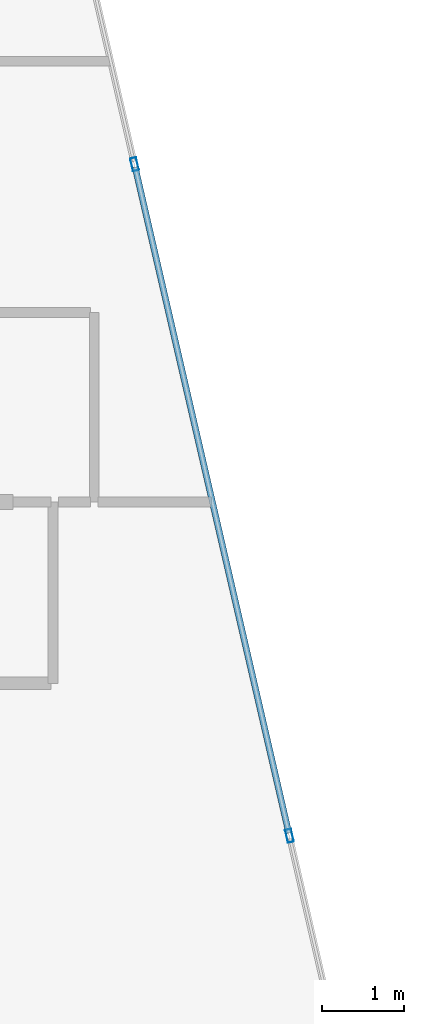
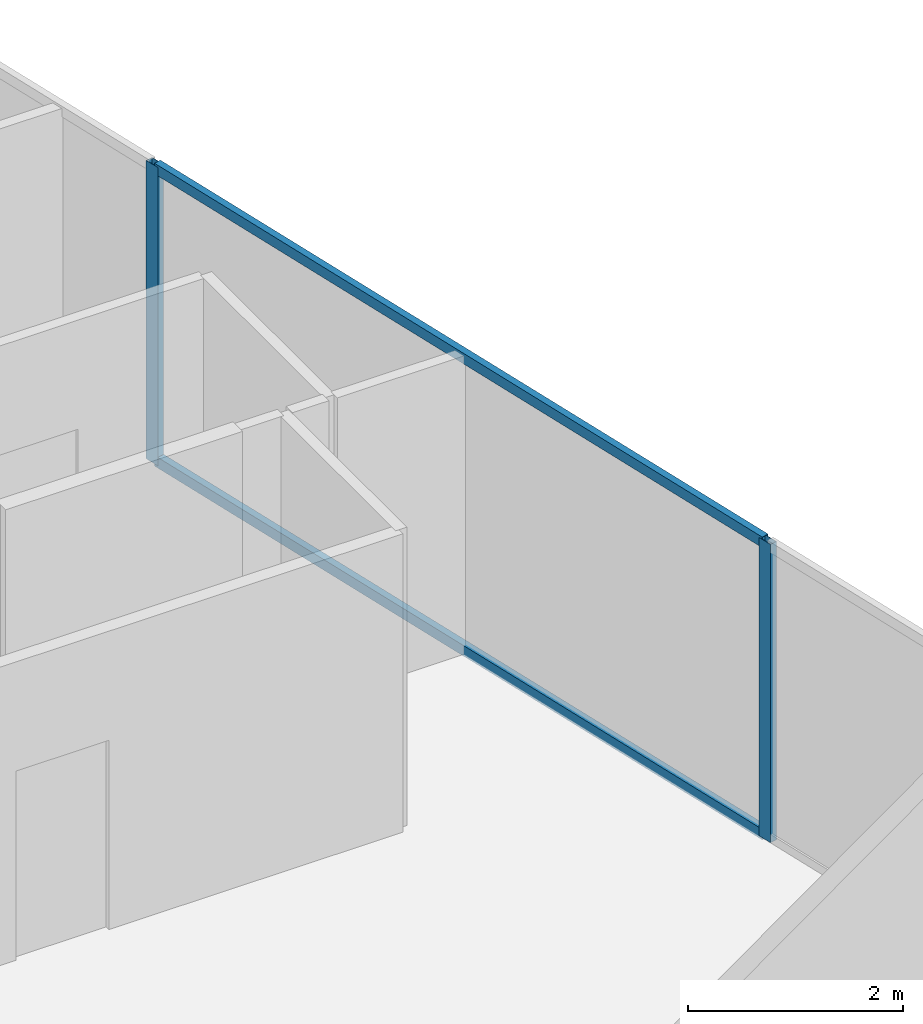
# One storey, part 20 of 29: 4 members, 1 element without a shape of its own.
"""IFC4 building model written with IfcOpenShell, lengths in metres."""

from ifc_helpers import new_model, si_unit, direction, frame, origin, origin_2d, place, context, subcontext, project, spatial, hollow_rectangle, extrude, material, layer, layer_set, material_profile, profile_set, type_object, element, aggregate, save


model = new_model("IFC4")

# Units and contexts
model_context = context("Model", 3, precision=1e-05, world=origin(), true_north=direction((0.0, 1.0)))
body_context = subcontext(model_context, "Body", "Model", "MODEL_VIEW")
ifc_project = project(units=[si_unit("LENGTHUNIT", "METRE"), si_unit("AREAUNIT", "SQUARE_METRE"), si_unit("VOLUMEUNIT", "CUBIC_METRE"), si_unit("PLANEANGLEUNIT", "RADIAN"), si_unit("MASSUNIT", "GRAM", prefix="KILO")], contexts=[model_context])

# Site, building, storey
site_placement = place(None, origin())
site = spatial("IfcSite", under=ifc_project, at=site_placement, CompositionType="ELEMENT")
building_placement = place(site_placement, origin())
building = spatial("IfcBuilding", under=site, at=building_placement, Name="Keshet Zoharim Tower", CompositionType="ELEMENT")
storey_placement = place(building_placement, frame((0.0, 0.0, 192.10009765625)))
storey = spatial("IfcBuildingStorey", under=building, at=storey_placement, Name="L47", CompositionType="ELEMENT", Elevation=192.10009765625)

# Curtain wall, members
ifc_material = material(Name="Aluminium 6063-T6", Category="aluminium")
ifc_layer = layer(ifc_material, 0.139892578125)
ifc_layer_set = layer_set([ifc_layer], Name="Aluminium 6063-T6")
curtain_wall_type = type_object("IfcCurtainWallType", Name="CW-SYS-05", PredefinedType="NOTDEFINED", material=ifc_layer_set)
curtain_wall_placement = place(storey_placement, origin())
curtain_wall = element("IfcCurtainWall", 1, at=curtain_wall_placement, inside=storey, type_object=curtain_wall_type, Name="L47 Unitised Curtain Wall 19", PredefinedType="NOTDEFINED")
ifc_material_profile_1 = material_profile(ifc_material, hollow_rectangle(XDim=0.074951171875, YDim=0.159912109375, WallThickness=0.00390625, at=origin_2d()), Name="MUL-75x160")
ifc_profile_set_1 = profile_set([ifc_material_profile_1], Name="Aluminium 6063-T6")
member_type_1 = type_object("IfcMemberType", Name="CWM-M15", PredefinedType="MULLION", material=ifc_profile_set_1)
member_1_placement = place(storey_placement, frame((41.23876953125, 44.199951171875, 0.0), z_axis=(0.0, 0.0, 1.0), x_axis=(0.974393882313, 0.224847864369, 0.0)))
member_1 = element("IfcMember", 2, at=member_1_placement, type_object=member_type_1, Name="CW-05 mullion 2", PredefinedType="MULLION", context=body_context, shape_type="SweptSolid", body=[
    extrude(hollow_rectangle(XDim=0.074951171875, YDim=0.159912109375, WallThickness=0.00390625, at=origin_2d()), origin(), (0.0, 0.0, 1.0), 3.389892578125),
])
member_2_placement = place(storey_placement, frame((43.119384765625, 36.050048828125, 0.0), z_axis=(0.0, 0.0, 1.0), x_axis=(0.974393882313, 0.224847864369, 0.0)))
member_2 = element("IfcMember", 3, at=member_2_placement, type_object=member_type_1, Name="CW-05 mullion 3", PredefinedType="MULLION", context=body_context, shape_type="SweptSolid", body=[
    extrude(hollow_rectangle(XDim=0.074951171875, YDim=0.159912109375, WallThickness=0.00390625, at=origin_2d()), origin(), (0.0, 0.0, 1.0), 3.389892578125),
])
ifc_material_profile_2 = material_profile(ifc_material, hollow_rectangle(XDim=0.074951171875, YDim=0.1201171875, WallThickness=0.00390625, at=origin_2d()), Name="TRN-75x120")
ifc_profile_set_2 = profile_set([ifc_material_profile_2], Name="Aluminium 6063-T6")
member_type_2 = type_object("IfcMemberType", Name="CWT-T12", PredefinedType="USERDEFINED", material=ifc_profile_set_2)
member_3_placement = place(storey_placement, frame((41.24658203125, 44.166015625, 0.034912109375), z_axis=(0.224848758198, -0.974393676055, 0.0), x_axis=(0.974393676055, 0.224848758198, 0.0)))
member_3 = element("IfcMember", 4, at=member_3_placement, type_object=member_type_2, Name="CW-05 transom 2.1", ObjectType="TRANSOM", PredefinedType="USERDEFINED", context=body_context, shape_type="SweptSolid", body=[
    extrude(hollow_rectangle(XDim=0.074951171875, YDim=0.1201171875, WallThickness=0.00390625, at=origin_2d()), origin(), (0.0, 0.0, 1.0), 8.29443359375),
])
member_4_placement = place(storey_placement, frame((41.24658203125, 44.166015625, 3.35498046875), z_axis=(0.224848758198, -0.974393676055, 0.0), x_axis=(0.974393676055, 0.224848758198, 0.0)))
member_4 = element("IfcMember", 5, at=member_4_placement, type_object=member_type_2, Name="CW-05 transom 2.2", ObjectType="TRANSOM", PredefinedType="USERDEFINED", context=body_context, shape_type="SweptSolid", body=[
    extrude(hollow_rectangle(XDim=0.074951171875, YDim=0.1201171875, WallThickness=0.00390625, at=origin_2d()), origin(), (0.0, 0.0, 1.0), 8.29443359375),
])
aggregate(curtain_wall, [member_1, member_2, member_3, member_4])

save(model, "model.ifc")
